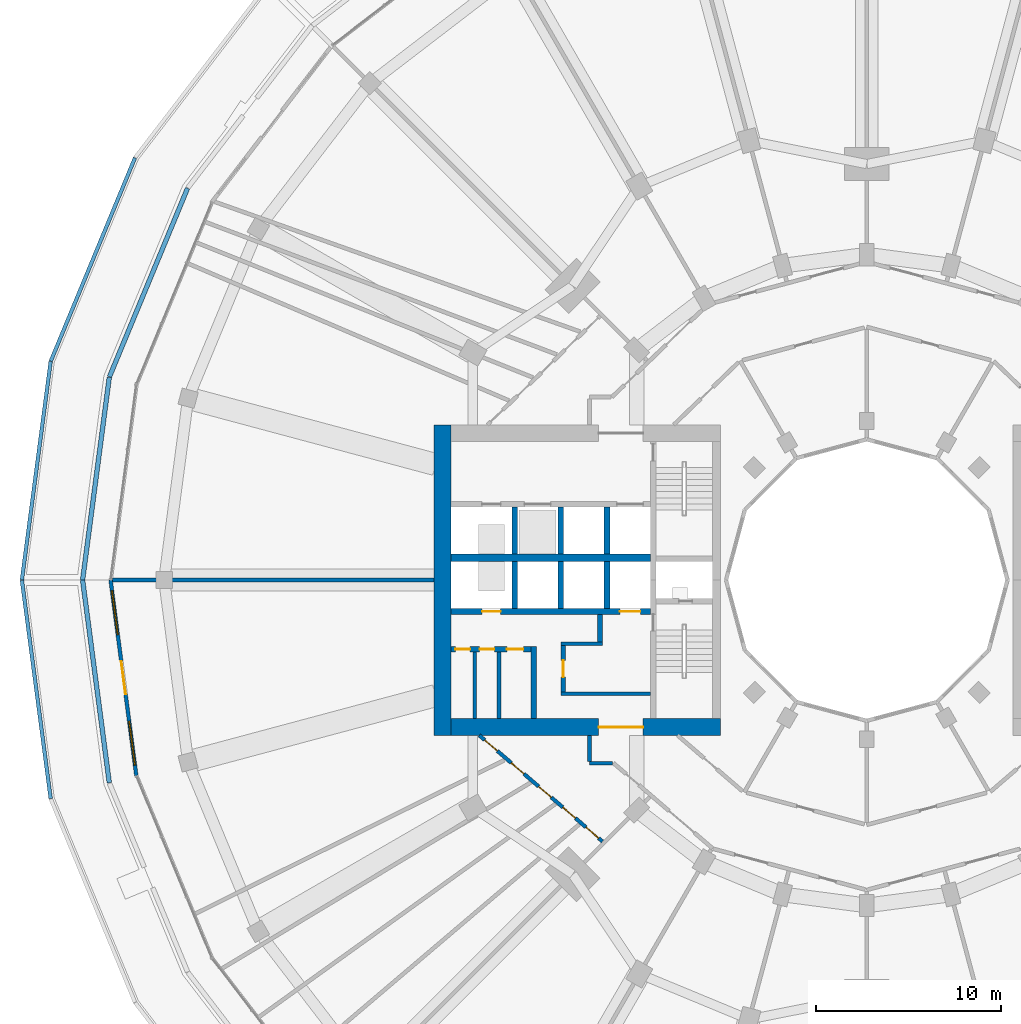
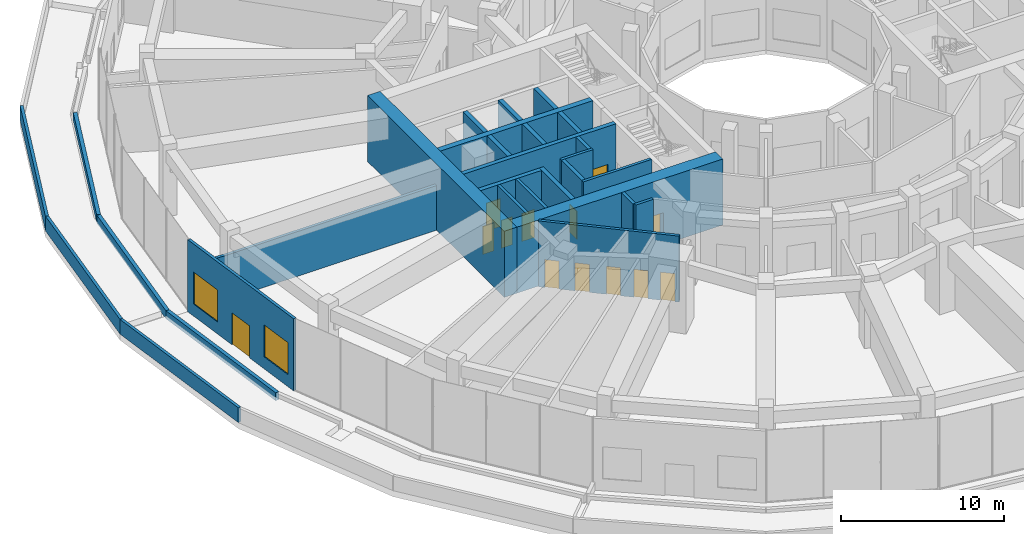
# One storey, part 22 of 30: 29 walls, 13 doors, 2 windows, 15 openings.
"""IFC4 building model written with IfcOpenShell, lengths in metres."""

from ifc_helpers import new_model, si_unit, direction, frame, frame_2d, origin, place, context, subcontext, project, spatial, rectangle, extrude, material, layer, layer_set, type_object, element, fill, save


model = new_model("IFC4")

# Units and contexts
model_context = context("Model", 3, precision=1e-05, world=origin(), true_north=direction((0.0, 1.0)))
body_context = subcontext(model_context, "Body", "Model", "MODEL_VIEW")
ifc_project = project(units=[si_unit("LENGTHUNIT", "METRE"), si_unit("AREAUNIT", "SQUARE_METRE"), si_unit("VOLUMEUNIT", "CUBIC_METRE"), si_unit("PLANEANGLEUNIT", "RADIAN"), si_unit("MASSUNIT", "GRAM", prefix="KILO")], contexts=[model_context])

# Site, building, storey
site_placement = place(None, origin())
site = spatial("IfcSite", under=ifc_project, at=site_placement, CompositionType="ELEMENT")
building_placement = place(site_placement, origin())
building = spatial("IfcBuilding", under=site, at=building_placement, Name="Torre Brocal", CompositionType="ELEMENT")
storey_placement = place(building_placement, frame((0.0, 0.0, 7.0)))
storey = spatial("IfcBuildingStorey", under=building, at=storey_placement, Name="L01", CompositionType="ELEMENT", Elevation=7.0)

# Walls
ifc_material_1 = material(Name="Masonry block", Category="masonry")
ifc_layer_1 = layer(ifc_material_1, 0.199951171875)
ifc_layer_set_1 = layer_set([ifc_layer_1], Name="Masonry block")
wall_type_1 = type_object("IfcWallType", Name="CORE PARTITION 200 UNDER 450 SLAB", PredefinedType="PARTITIONING", material=ifc_layer_set_1)
for number, where, z_axis, x_axis, name in (
    (1, (60.110107421875, 71.10009765625, 0.0), (0.0, 0.0, 1.0), (0.0, -1.0, 0.0), "Wall CP200-S450"),
    (2, (58.804931640625, 71.10009765625, 0.0), (0.0, 0.0, 1.0), (0.0, -1.0, 0.0), "Wall CP200-S450"),
):
    element("IfcWall", number, at=place(storey_placement, frame(where, z_axis=z_axis, x_axis=x_axis)), inside=storey, type_object=wall_type_1, Name=name, PredefinedType="PARTITIONING", context=body_context, shape_type="SweptSolid", body=[
        extrude(rectangle(XDim=3.60009765625, YDim=0.199951171875, at=frame_2d((1.800048828125, 0.0))), origin(), (0.0, 0.0, 1.0), 4.949951171875),
    ])
ifc_material_2 = material(Name="Concrete C80", Category="concrete")
ifc_layer_2 = layer(ifc_material_2, 0.199951171875)
ifc_layer_set_2 = layer_set([ifc_layer_2], Name="Concrete C80")
wall_type_2 = type_object("IfcWallType", Name="CORE WALL 200 C80 UNDER 450 SLAB", PredefinedType="SHEAR", material=ifc_layer_set_2)
wall_1_placement = place(storey_placement, frame((68.300048828125, 68.85009765625, 0.0), z_axis=(0.0, 0.0, 1.0), x_axis=(-1.0, 0.0, 0.0)))
element("IfcWall", 3, at=wall_1_placement, inside=storey, type_object=wall_type_2, Name="Wall CW200-80-S450", PredefinedType="SHEAR", context=body_context, shape_type="SweptSolid", body=[
    extrude(rectangle(XDim=4.85009765625, YDim=0.199951171875, at=frame_2d((2.425048828125, 0.0))), origin(), (0.0, 0.0, 1.0), 4.949951171875),
])
wall_2_placement = place(storey_placement, frame((65.699951171875, 71.550048828125, 0.0), z_axis=(0.0, 0.0, 1.0), x_axis=(-1.0, 0.0, 0.0)))
element("IfcWall", 4, at=wall_2_placement, inside=storey, type_object=wall_type_2, Name="Wall CW200-80-S450", PredefinedType="SHEAR", context=body_context, shape_type="SweptSolid", body=[
    extrude(rectangle(XDim=2.25, YDim=0.199951171875, at=frame_2d((1.125, 0.0))), origin(), (0.0, 0.0, 1.0), 4.949951171875),
])

# Wall, opening, door
ifc_material_3 = material(Name="Concrete C80", Category="concrete")
ifc_layer_3 = layer(ifc_material_3, 0.25)
ifc_layer_set_3 = layer_set([ifc_layer_3], Name="Concrete C80")
wall_type_3 = type_object("IfcWallType", Name="CORE WALL 250 C80 UNDER 450 SLAB", PredefinedType="SHEAR", material=ifc_layer_set_3)
wall_3_placement = place(storey_placement, frame((63.574951171875, 71.449951171875, 0.0), z_axis=(0.0, 0.0, 1.0), x_axis=(0.0, -1.0, 0.0)))
wall_3 = element("IfcWall", 5, at=wall_3_placement, inside=storey, type_object=wall_type_3, Name="Wall CW250-80-S450", PredefinedType="SHEAR", context=body_context, shape_type="SweptSolid", body=[
    extrude(rectangle(XDim=2.5, YDim=0.25, at=frame_2d((1.25, 0.0))), origin(), (0.0, 0.0, 1.0), 4.949951171875),
])
opening_1_placement = place(wall_3_placement, frame((0.800048828125, 0.0, 0.0)))
opening_1 = element("IfcOpeningElement", 6, at=opening_1_placement, cuts=wall_3, Name="Opening W-D15", PredefinedType="OPENING", context=body_context, shape_type="SweptSolid", body=[
    extrude(rectangle(XDim=0.89990234375, YDim=2.10009765625, at=frame_2d((0.449951171875, 1.050048828125))), frame((0.0, 0.135009765625, 0.0), z_axis=(0.0, -1.0, 0.0), x_axis=(1.0, 0.0, 0.0)), (0.0, 0.0, 1.0), 0.27001953125),
])
ifc_material_4 = material(Name="Steel A653", Category="steel")
door_type_1 = type_object("IfcDoorType", Name="LOBBY DOOR FD120 900X2100", OperationType="SINGLE_SWING_RIGHT", PredefinedType="DOOR", material=ifc_material_4)
door_1_placement = place(opening_1_placement, origin())
door_1 = element("IfcDoor", 7, at=door_1_placement, inside=storey, type_object=door_type_1, Name="Door W-D15", OperationType="SINGLE_SWING_LEFT", OverallHeight=2.10009765625, OverallWidth=0.89990234375, PredefinedType="DOOR", context=body_context, shape_type="SweptSolid", body=[
    extrude(rectangle(XDim=0.89990234375, YDim=2.10009765625, at=frame_2d((0.449951171875, 1.050048828125))), frame((0.0, 0.02490234375, 0.0), z_axis=(0.0, -1.0, 0.0), x_axis=(1.0, 0.0, 0.0)), (0.0, 0.0, 1.0), 0.050048828125),
])
fill(opening_1, door_1)

# Wall
wall_4_placement = place(storey_placement, frame((65.574951171875, 73.14990234375, 0.0), z_axis=(0.0, 0.0, 1.0), x_axis=(0.0, -1.0, 0.0)))
element("IfcWall", 8, at=wall_4_placement, inside=storey, type_object=wall_type_3, Name="Wall CW250-80-S450", PredefinedType="SHEAR", context=body_context, shape_type="SweptSolid", body=[
    extrude(rectangle(XDim=1.5, YDim=0.25, at=frame_2d((0.75, 0.0))), origin(), (0.0, 0.0, 1.0), 4.949951171875),
])

# Wall, openings, doors
ifc_material_5 = material(Name="Concrete C80", Category="concrete")
ifc_layer_4 = layer(ifc_material_5, 0.300048828125)
ifc_layer_set_4 = layer_set([ifc_layer_4], Name="Concrete C80")
wall_type_4 = type_object("IfcWallType", Name="CORE WALL 300 C80 UNDER 450 SLAB", PredefinedType="SHEAR", material=ifc_layer_set_4)
wall_5_placement = place(storey_placement, frame((68.300048828125, 73.300048828125, 0.0), z_axis=(0.0, 0.0, 1.0), x_axis=(-1.0, 0.0, 0.0)))
wall_5 = element("IfcWall", 9, at=wall_5_placement, inside=storey, type_object=wall_type_4, Name="Wall CW300-80-S450", PredefinedType="SHEAR", context=body_context, shape_type="SweptSolid", body=[
    extrude(rectangle(XDim=10.800048828125, YDim=0.300048828125, at=frame_2d((5.39990234375, 0.0))), origin(), (0.0, 0.0, 1.0), 4.949951171875),
])
opening_2_placement = place(wall_5_placement, frame((0.550048828125, 0.0, 0.0)))
opening_2 = element("IfcOpeningElement", 10, at=opening_2_placement, cuts=wall_5, Name="Opening LD", PredefinedType="OPENING", context=body_context, shape_type="SweptSolid", body=[
    extrude(rectangle(XDim=1.10009765625, YDim=2.10009765625, at=frame_2d((0.550048828125, 1.050048828125))), frame((0.0, 0.159912109375, 0.0), z_axis=(0.0, -1.0, 0.0), x_axis=(1.0, 0.0, 0.0)), (0.0, 0.0, 1.0), 0.320068359375),
])
opening_3_placement = place(wall_5_placement, frame((8.10009765625, 0.0, 0.0)))
opening_3 = element("IfcOpeningElement", 11, at=opening_3_placement, cuts=wall_5, Name="Opening LD10", PredefinedType="OPENING", context=body_context, shape_type="SweptSolid", body=[
    extrude(rectangle(XDim=1.0, YDim=2.10009765625, at=frame_2d((0.5, 1.050048828125))), frame((0.0, 0.159912109375, 0.0), z_axis=(0.0, -1.0, 0.0), x_axis=(1.0, 0.0, 0.0)), (0.0, 0.0, 1.0), 0.320068359375),
])
ifc_material_6 = material(Name="Stainless steel AISI 316", Category="steel")
door_type_2 = type_object("IfcDoorType", Name="LIFT LANDING DOOR 1000X2100", OperationType="DOUBLE_DOOR_SLIDING", PredefinedType="DOOR", material=ifc_material_6)
door_2_placement = place(opening_3_placement, origin())
door_2 = element("IfcDoor", 12, at=door_2_placement, inside=storey, type_object=door_type_2, Name="Door LD10", OperationType="DOUBLE_DOOR_SLIDING", OverallHeight=2.10009765625, OverallWidth=1.0, PredefinedType="DOOR", context=body_context, shape_type="SweptSolid", body=[
    extrude(rectangle(XDim=1.0, YDim=2.10009765625, at=frame_2d((0.5, 1.050048828125))), frame((0.0, 0.02490234375, 0.0), z_axis=(0.0, -1.0, 0.0), x_axis=(1.0, 0.0, 0.0)), (0.0, 0.0, 1.0), 0.050048828125),
])
fill(opening_3, door_2)
ifc_material_7 = material(Name="Stainless steel AISI 316", Category="steel")
door_type_3 = type_object("IfcDoorType", Name="LIFT LANDING DOOR 1100X2100", OperationType="DOUBLE_DOOR_SLIDING", PredefinedType="DOOR", material=ifc_material_7)
door_3_placement = place(opening_2_placement, origin())
door_3 = element("IfcDoor", 13, at=door_3_placement, inside=storey, type_object=door_type_3, Name="Door LD", OperationType="DOUBLE_DOOR_SLIDING", OverallHeight=2.10009765625, OverallWidth=1.10009765625, PredefinedType="DOOR", context=body_context, shape_type="SweptSolid", body=[
    extrude(rectangle(XDim=1.10009765625, YDim=2.10009765625, at=frame_2d((0.550048828125, 1.050048828125))), frame((0.0, 0.02490234375, 0.0), z_axis=(0.0, -1.0, 0.0), x_axis=(1.0, 0.0, 0.0)), (0.0, 0.0, 1.0), 0.050048828125),
])
fill(opening_2, door_3)

# Walls
for number, where, z_axis, x_axis, name in (
    (14, (65.949951171875, 76.0, 0.0), (0.0, 0.0, 1.0), (0.0, -1.0, 0.0), "Wall CW300-80-S450"),
    (15, (63.449951171875, 76.0, 0.0), (0.0, 0.0, 1.0), (0.0, -1.0, 0.0), "Wall CW300-80-S450"),
    (16, (60.949951171875, 76.0, 0.0), (0.0, 0.0, 1.0), (0.0, -1.0, 0.0), "Wall CW300-80-S450"),
    (17, (65.949951171875, 78.949951171875, 0.0), (0.0, 0.0, 1.0), (0.0, -1.0, 0.0), "Wall CW300-80-S450"),
    (18, (63.449951171875, 78.949951171875, 0.0), (0.0, 0.0, 1.0), (0.0, -1.0, 0.0), "Wall CW300-80-S450"),
    (19, (60.949951171875, 78.949951171875, 0.0), (0.0, 0.0, 1.0), (0.0, -1.0, 0.0), "Wall CW300-80-S450"),
):
    element("IfcWall", number, at=place(storey_placement, frame(where, z_axis=z_axis, x_axis=x_axis)), inside=storey, type_object=wall_type_4, Name=name, PredefinedType="SHEAR", context=body_context, shape_type="SweptSolid", body=[
        extrude(rectangle(XDim=2.550048828125, YDim=0.300048828125, at=frame_2d((1.27490234375, 0.0))), origin(), (0.0, 0.0, 1.0), 4.949951171875),
    ])
wall_6_placement = place(storey_placement, frame((62.0, 71.39990234375, 0.0), z_axis=(0.0, 0.0, 1.0), x_axis=(0.0, -1.0, 0.0)))
element("IfcWall", 20, at=wall_6_placement, inside=storey, type_object=wall_type_4, Name="Wall CW300-80-S450", PredefinedType="SHEAR", context=body_context, shape_type="SweptSolid", body=[
    extrude(rectangle(XDim=3.89990234375, YDim=0.300048828125, at=frame_2d((1.949951171875, 0.0))), origin(), (0.0, 0.0, 1.0), 4.949951171875),
])

# Wall, openings, doors
wall_7_placement = place(storey_placement, frame((61.85009765625, 71.25, 0.0), z_axis=(0.0, 0.0, 1.0), x_axis=(-1.0, 0.0, 0.0)))
wall_7 = element("IfcWall", 21, at=wall_7_placement, inside=storey, type_object=wall_type_4, Name="Wall CW300-80-S450", PredefinedType="SHEAR", context=body_context, shape_type="SweptSolid", body=[
    extrude(rectangle(XDim=4.35009765625, YDim=0.300048828125, at=frame_2d((2.175048828125, 0.0))), origin(), (0.0, 0.0, 1.0), 4.949951171875),
])
opening_4_placement = place(wall_7_placement, frame((0.419921875, 0.0, 0.0)))
opening_4 = element("IfcOpeningElement", 22, at=opening_4_placement, cuts=wall_7, Name="Opening W-D05", PredefinedType="OPENING", context=body_context, shape_type="SweptSolid", body=[
    extrude(rectangle(XDim=0.89990234375, YDim=2.10009765625, at=frame_2d((0.449951171875, 1.050048828125))), frame((0.0, 0.159912109375, 0.0), z_axis=(0.0, -1.0, 0.0), x_axis=(1.0, 0.0, 0.0)), (0.0, 0.0, 1.0), 0.320068359375),
])
opening_5_placement = place(wall_7_placement, frame((1.992431640625, 0.0, 0.0)))
opening_5 = element("IfcOpeningElement", 23, at=opening_5_placement, cuts=wall_7, Name="Opening W-D22", PredefinedType="OPENING", context=body_context, shape_type="SweptSolid", body=[
    extrude(rectangle(XDim=0.800048828125, YDim=2.10009765625, at=frame_2d((0.39990234375, 1.050048828125))), frame((0.0, 0.159912109375, 0.0), z_axis=(0.0, -1.0, 0.0), x_axis=(1.0, 0.0, 0.0)), (0.0, 0.0, 1.0), 0.320068359375),
])
opening_6_placement = place(wall_7_placement, frame((3.297607421875, 0.0, 0.0)))
opening_6 = element("IfcOpeningElement", 24, at=opening_6_placement, cuts=wall_7, Name="Opening W-D25", PredefinedType="OPENING", context=body_context, shape_type="SweptSolid", body=[
    extrude(rectangle(XDim=0.800048828125, YDim=2.10009765625, at=frame_2d((0.39990234375, 1.050048828125))), frame((0.0, 0.159912109375, 0.0), z_axis=(0.0, -1.0, 0.0), x_axis=(1.0, 0.0, 0.0)), (0.0, 0.0, 1.0), 0.320068359375),
])
ifc_material_8 = material(Name="Steel A653", Category="steel")
door_type_4 = type_object("IfcDoorType", Name="ROOM DOOR FD30S 800X2100", OperationType="SINGLE_SWING_LEFT", PredefinedType="DOOR", material=ifc_material_8)
door_4_placement = place(opening_5_placement, origin())
door_4 = element("IfcDoor", 25, at=door_4_placement, inside=storey, type_object=door_type_4, Name="Door W-D22", OperationType="SINGLE_SWING_LEFT", OverallHeight=2.10009765625, OverallWidth=0.800048828125, PredefinedType="DOOR", context=body_context, shape_type="SweptSolid", body=[
    extrude(rectangle(XDim=0.800048828125, YDim=2.10009765625, at=frame_2d((0.39990234375, 1.050048828125))), frame((0.0, 0.02490234375, 0.0), z_axis=(0.0, -1.0, 0.0), x_axis=(1.0, 0.0, 0.0)), (0.0, 0.0, 1.0), 0.050048828125),
])
fill(opening_5, door_4)
door_5_placement = place(opening_6_placement, origin())
door_5 = element("IfcDoor", 26, at=door_5_placement, inside=storey, type_object=door_type_4, Name="Door W-D25", OperationType="SINGLE_SWING_LEFT", OverallHeight=2.10009765625, OverallWidth=0.800048828125, PredefinedType="DOOR", context=body_context, shape_type="SweptSolid", body=[
    extrude(rectangle(XDim=0.800048828125, YDim=2.10009765625, at=frame_2d((0.39990234375, 1.050048828125))), frame((0.0, 0.02490234375, 0.0), z_axis=(0.0, -1.0, 0.0), x_axis=(1.0, 0.0, 0.0)), (0.0, 0.0, 1.0), 0.050048828125),
])
fill(opening_6, door_5)
ifc_material_9 = material(Name="Steel A653", Category="steel")
door_type_5 = type_object("IfcDoorType", Name="ROOM DOOR FD30S 900X2100", OperationType="SINGLE_SWING_LEFT", PredefinedType="DOOR", material=ifc_material_9)
door_6_placement = place(opening_4_placement, origin())
door_6 = element("IfcDoor", 27, at=door_6_placement, inside=storey, type_object=door_type_5, Name="Door W-D05", OperationType="SINGLE_SWING_RIGHT", OverallHeight=2.10009765625, OverallWidth=0.89990234375, PredefinedType="DOOR", context=body_context, shape_type="SweptSolid", body=[
    extrude(rectangle(XDim=0.89990234375, YDim=2.10009765625, at=frame_2d((0.449951171875, 1.050048828125))), frame((0.0, 0.02490234375, 0.0), z_axis=(0.0, -1.0, 0.0), x_axis=(1.0, 0.0, 0.0)), (0.0, 0.0, 1.0), 0.050048828125),
])
fill(opening_4, door_6)

# Wall
ifc_material_10 = material(Name="Concrete C80", Category="concrete")
ifc_layer_5 = layer(ifc_material_10, 0.39990234375)
ifc_layer_set_5 = layer_set([ifc_layer_5], Name="Concrete C80")
wall_type_5 = type_object("IfcWallType", Name="CORE WALL 400 C80 UNDER 450 SLAB", PredefinedType="SHEAR", material=ifc_layer_set_5)
wall_8_placement = place(storey_placement, frame((68.300048828125, 76.199951171875, 0.0), z_axis=(0.0, 0.0, 1.0), x_axis=(-1.0, 0.0, 0.0)))
element("IfcWall", 28, at=wall_8_placement, inside=storey, type_object=wall_type_5, Name="Wall CW400-80-S450", PredefinedType="SHEAR", context=body_context, shape_type="SweptSolid", body=[
    extrude(rectangle(XDim=10.800048828125, YDim=0.39990234375, at=frame_2d((5.39990234375, 0.0))), origin(), (0.0, 0.0, 1.0), 4.949951171875),
])

# Wall, opening, door
ifc_material_11 = material(Name="Concrete C80", Category="concrete")
ifc_layer_6 = layer(ifc_material_11, 0.89990234375)
ifc_layer_set_6 = layer_set([ifc_layer_6], Name="Concrete C80")
wall_type_6 = type_object("IfcWallType", Name="CORE WALL 900 C80 UNDER 450 SLAB", PredefinedType="SHEAR", material=ifc_layer_set_6)
wall_9_placement = place(storey_placement, frame((72.10009765625, 67.050048828125, 0.0), z_axis=(0.0, 0.0, 1.0), x_axis=(-1.0, 0.0, 0.0)))
wall_9 = element("IfcWall", 29, at=wall_9_placement, inside=storey, type_object=wall_type_6, Name="Wall CW900-80-S450", PredefinedType="SHEAR", context=body_context, shape_type="SweptSolid", body=[
    extrude(rectangle(XDim=14.60009765625, YDim=0.89990234375, at=frame_2d((7.300048828125, 0.0))), origin(), (0.0, 0.0, 1.0), 4.949951171875),
])
opening_7_placement = place(wall_9_placement, frame((4.199951171875, 0.0, 0.0)))
opening_7 = element("IfcOpeningElement", 30, at=opening_7_placement, cuts=wall_9, Name="Opening W-D27", PredefinedType="OPENING", context=body_context, shape_type="SweptSolid", body=[
    extrude(rectangle(XDim=2.39990234375, YDim=2.39990234375, at=frame_2d((1.199951171875, 1.199951171875))), frame((0.0, 0.4599609375, 0.0), z_axis=(0.0, -1.0, 0.0), x_axis=(1.0, 0.0, 0.0)), (0.0, 0.0, 1.0), 0.919921875),
])
ifc_material_12 = material(Name="Steel A653", Category="steel")
door_type_6 = type_object("IfcDoorType", Name="DOUBLE FIRE DOOR FD90 2400X2400", OperationType="DOUBLE_DOOR_SINGLE_SWING", PredefinedType="DOOR", material=ifc_material_12)
door_7_placement = place(opening_7_placement, frame((2.39990234375, 0.0, 0.0), z_axis=(0.0, 0.0, 1.0), x_axis=(-1.0, 0.0, 0.0)))
door_7 = element("IfcDoor", 31, at=door_7_placement, inside=storey, type_object=door_type_6, Name="Door W-D27", OperationType="DOUBLE_DOOR_SINGLE_SWING", OverallHeight=2.39990234375, OverallWidth=2.39990234375, PredefinedType="DOOR", context=body_context, shape_type="SweptSolid", body=[
    extrude(rectangle(XDim=2.39990234375, YDim=2.39990234375, at=frame_2d((1.199951171875, 1.199951171875))), frame((0.0, 0.02490234375, 0.0), z_axis=(0.0, -1.0, 0.0), x_axis=(1.0, 0.0, 0.0)), (0.0, 0.0, 1.0), 0.050048828125),
])
fill(opening_7, door_7)

# Wall
wall_10_placement = place(storey_placement, frame((57.050048828125, 83.39990234375, 0.0), z_axis=(0.0, 0.0, 1.0), x_axis=(0.0, -1.0, 0.0)))
element("IfcWall", 32, at=wall_10_placement, inside=storey, type_object=wall_type_6, Name="Wall CW900-80-S450", PredefinedType="SHEAR", context=body_context, shape_type="SweptSolid", body=[
    extrude(rectangle(XDim=16.7998046875, YDim=0.89990234375, at=frame_2d((8.39990234375, 0.0))), origin(), (0.0, 0.0, 1.0), 4.949951171875),
])

# Wall, openings, windows, door
ifc_material_13 = material(Name="Concrete C40", Category="concrete")
ifc_layer_7 = layer(ifc_material_13, 0.199951171875)
ifc_layer_set_7 = layer_set([ifc_layer_7], Name="Concrete C40")
wall_type_7 = type_object("IfcWallType", Name="EXTERNAL WALL 200", PredefinedType="NOTDEFINED", material=ifc_layer_set_7)
wall_11_placement = place(storey_placement, frame((39.100830078125, 75.0, 0.0), z_axis=(0.0, 0.0, 1.0), x_axis=(0.130521944298, -0.991445420614, 0.0)))
wall_11 = element("IfcWall", 33, at=wall_11_placement, inside=storey, type_object=wall_type_7, Name="EXTERNAL WALL", PredefinedType="NOTDEFINED", context=body_context, shape_type="SweptSolid", body=[
    extrude(rectangle(XDim=10.6767578125, YDim=0.199951171875, at=frame_2d((5.33837890625, 0.0))), origin(), (0.0, 0.0, 1.0), 5.39990234375),
])
opening_8_placement = place(wall_11_placement, frame((0.57958984375, 0.0, 0.89990234375)))
opening_8 = element("IfcOpeningElement", 34, at=opening_8_placement, cuts=wall_11, Name="Opening W6", PredefinedType="OPENING", context=body_context, shape_type="SweptSolid", body=[
    extrude(rectangle(XDim=2.39990234375, YDim=2.39990234375, at=frame_2d((1.199951171875, 1.199951171875))), frame((0.0, 0.10986328125, 0.0), z_axis=(0.0, -1.0, 0.0), x_axis=(1.0, 0.0, 0.0)), (0.0, 0.0, 1.0), 0.219970703125),
])
opening_9_placement = place(wall_11_placement, frame((4.4384765625, 0.0, 0.0)))
opening_9 = element("IfcOpeningElement", 35, at=opening_9_placement, cuts=wall_11, Name="Opening L01-E05", PredefinedType="OPENING", context=body_context, shape_type="SweptSolid", body=[
    extrude(rectangle(XDim=1.800048828125, YDim=2.39990234375, at=frame_2d((0.89990234375, 1.199951171875))), frame((0.0, 0.10986328125, 0.0), z_axis=(0.0, -1.0, 0.0), x_axis=(1.0, 0.0, 0.0)), (0.0, 0.0, 1.0), 0.219970703125),
])
opening_10_placement = place(wall_11_placement, frame((7.697265625, 0.0, 0.89990234375)))
opening_10 = element("IfcOpeningElement", 36, at=opening_10_placement, cuts=wall_11, Name="Opening W6", PredefinedType="OPENING", context=body_context, shape_type="SweptSolid", body=[
    extrude(rectangle(XDim=2.39990234375, YDim=2.39990234375, at=frame_2d((1.199951171875, 1.199951171875))), frame((0.0, 0.10986328125, 0.0), z_axis=(0.0, -1.0, 0.0), x_axis=(1.0, 0.0, 0.0)), (0.0, 0.0, 1.0), 0.219970703125),
])
ifc_material_14 = material(Name="Aluminium and glass", Category="aluminium")
window_type = type_object("IfcWindowType", Name="PODIUM WINDOW 2400X2400", PartitioningType="SINGLE_PANEL", PredefinedType="WINDOW", material=ifc_material_14)
window_1_placement = place(opening_8_placement, origin())
window_1 = element("IfcWindow", 37, at=window_1_placement, inside=storey, type_object=window_type, Name="PODIUM WINDOW 2400X2400", OverallHeight=2.39990234375, OverallWidth=2.39990234375, PartitioningType="SINGLE_PANEL", PredefinedType="WINDOW", context=body_context, shape_type="SweptSolid", body=[
    extrude(rectangle(XDim=2.39990234375, YDim=2.39990234375, at=frame_2d((1.199951171875, 1.199951171875))), frame((0.0, 0.030029296875, 0.0), z_axis=(0.0, -1.0, 0.0), x_axis=(1.0, 0.0, 0.0)), (0.0, 0.0, 1.0), 0.06005859375),
])
fill(opening_8, window_1)
window_2_placement = place(opening_10_placement, origin())
window_2 = element("IfcWindow", 38, at=window_2_placement, inside=storey, type_object=window_type, Name="PODIUM WINDOW 2400X2400", OverallHeight=2.39990234375, OverallWidth=2.39990234375, PartitioningType="SINGLE_PANEL", PredefinedType="WINDOW", context=body_context, shape_type="SweptSolid", body=[
    extrude(rectangle(XDim=2.39990234375, YDim=2.39990234375, at=frame_2d((1.199951171875, 1.199951171875))), frame((0.0, 0.030029296875, 0.0), z_axis=(0.0, -1.0, 0.0), x_axis=(1.0, 0.0, 0.0)), (0.0, 0.0, 1.0), 0.06005859375),
])
fill(opening_10, window_2)
ifc_material_15 = material(Name="Aluminium and glass", Category="aluminium")
door_type_7 = type_object("IfcDoorType", Name="TERRACE DOUBLE DOOR 1800X2400", OperationType="DOUBLE_DOOR_SINGLE_SWING", PredefinedType="DOOR", material=ifc_material_15)
door_8_placement = place(opening_9_placement, frame((1.800048828125, 0.0, 0.0), z_axis=(0.0, 0.0, 1.0), x_axis=(-1.0, 0.0, 0.0)))
door_8 = element("IfcDoor", 39, at=door_8_placement, inside=storey, type_object=door_type_7, Name="DOOR L01-E05", OperationType="DOUBLE_DOOR_SINGLE_SWING", OverallHeight=2.39990234375, OverallWidth=1.800048828125, PredefinedType="DOOR", context=body_context, shape_type="SweptSolid", body=[
    extrude(rectangle(XDim=1.800048828125, YDim=2.39990234375, at=frame_2d((0.89990234375, 1.199951171875))), frame((0.0, 0.02490234375, 0.0), z_axis=(0.0, -1.0, 0.0), x_axis=(1.0, 0.0, 0.0)), (0.0, 0.0, 1.0), 0.050048828125),
])
fill(opening_9, door_8)

# Walls
ifc_material_16 = material(Name="Concrete C40", Category="concrete")
ifc_layer_8 = layer(ifc_material_16, 0.199951171875)
ifc_layer_set_8 = layer_set([ifc_layer_8], Name="Concrete C40")
wall_type_8 = type_object("IfcWallType", Name="PARAPET WALL 200 THICK 1100 HIGH", PredefinedType="PARAPET", material=ifc_layer_set_8)
for number, where, z_axis, x_axis, name in (
    (40, (35.85791015625, 63.185791015625, 0.0), (0.0, 0.0, 1.0), (-0.130529852925, 0.991444379426, 0.0), "PARAPET WALL 12"),
    (41, (34.30419921875, 75.012939453125, 0.0), (0.0, 0.0, 1.0), (0.130529852925, 0.991444379426, 0.0), "PARAPET WALL 13"),
):
    element("IfcWall", number, at=place(storey_placement, frame(where, z_axis=z_axis, x_axis=x_axis)), inside=storey, type_object=wall_type_8, Name=name, PredefinedType="PARAPET", context=body_context, shape_type="SweptSolid", body=[
        extrude(rectangle(XDim=11.903076171875, YDim=0.199951171875, at=frame_2d((5.95166015625, 0.0))), origin(), (0.0, 0.0, 1.0), 1.10009765625),
    ])
wall_12_placement = place(storey_placement, frame((35.86474609375, 86.839599609375, 0.0), z_axis=(0.0, 0.0, 1.0), x_axis=(0.382693560434, 0.923875337263, 0.0)))
element("IfcWall", 42, at=wall_12_placement, inside=storey, type_object=wall_type_8, Name="PARAPET WALL 14", PredefinedType="PARAPET", context=body_context, shape_type="SweptSolid", body=[
    extrude(rectangle(XDim=11.90283203125, YDim=0.199951171875, at=frame_2d((5.951416015625, 0.0))), origin(), (0.0, 0.0, 1.0), 1.10009765625),
])

# Wall, openings, doors
ifc_material_17 = material(Name="Gypsum board", Category="Gypsum")
ifc_layer_9 = layer(ifc_material_17, 0.199951171875)
ifc_layer_set_9 = layer_set([ifc_layer_9], Name="Gypsum board")
wall_type_9 = type_object("IfcWallType", Name="PARTITION 200 EI60", PredefinedType="PARTITIONING", material=ifc_layer_set_9)
wall_13_placement = place(storey_placement, frame((59.04150390625, 66.6005859375, 0.0), z_axis=(0.0, 0.0, 1.0), x_axis=(0.757804642565, -0.652481512157, 0.0)))
wall_13 = element("IfcWall", 43, at=wall_13_placement, inside=storey, type_object=wall_type_9, Name="PLANT ROOM WALL", PredefinedType="PARTITIONING", context=body_context, shape_type="SweptSolid", body=[
    extrude(rectangle(XDim=8.79443359375, YDim=0.199951171875, at=frame_2d((4.397216796875, 0.0))), origin(), (0.0, 0.0, 1.0), 4.949951171875),
])
opening_11_placement = place(wall_13_placement, frame((0.388916015625, 0.0, 0.0)))
opening_11 = element("IfcOpeningElement", 44, at=opening_11_placement, cuts=wall_13, Name="Opening PD1-D25", PredefinedType="OPENING", context=body_context, shape_type="SweptSolid", body=[
    extrude(rectangle(XDim=0.89990234375, YDim=2.10009765625, at=frame_2d((0.449951171875, 1.050048828125))), frame((0.0, 0.10986328125, 0.0), z_axis=(0.0, -1.0, 0.0), x_axis=(1.0, 0.0, 0.0)), (0.0, 0.0, 1.0), 0.219970703125),
])
opening_12_placement = place(wall_13_placement, frame((2.284912109375, 0.0, 0.0)))
opening_12 = element("IfcOpeningElement", 45, at=opening_12_placement, cuts=wall_13, Name="Opening PD1-D26", PredefinedType="OPENING", context=body_context, shape_type="SweptSolid", body=[
    extrude(rectangle(XDim=0.89990234375, YDim=2.10009765625, at=frame_2d((0.449951171875, 1.050048828125))), frame((0.0, 0.10986328125, 0.0), z_axis=(0.0, -1.0, 0.0), x_axis=(1.0, 0.0, 0.0)), (0.0, 0.0, 1.0), 0.219970703125),
])
opening_13_placement = place(wall_13_placement, frame((4.240478515625, 0.0, 0.0)))
opening_13 = element("IfcOpeningElement", 46, at=opening_13_placement, cuts=wall_13, Name="Opening PD1-D27", PredefinedType="OPENING", context=body_context, shape_type="SweptSolid", body=[
    extrude(rectangle(XDim=0.89990234375, YDim=2.10009765625, at=frame_2d((0.449951171875, 1.050048828125))), frame((0.0, 0.10986328125, 0.0), z_axis=(0.0, -1.0, 0.0), x_axis=(1.0, 0.0, 0.0)), (0.0, 0.0, 1.0), 0.219970703125),
])
opening_14_placement = place(wall_13_placement, frame((5.96337890625, 0.0, 0.0)))
opening_14 = element("IfcOpeningElement", 47, at=opening_14_placement, cuts=wall_13, Name="Opening PD1-D28", PredefinedType="OPENING", context=body_context, shape_type="SweptSolid", body=[
    extrude(rectangle(XDim=0.89990234375, YDim=2.10009765625, at=frame_2d((0.449951171875, 1.050048828125))), frame((0.0, 0.10986328125, 0.0), z_axis=(0.0, -1.0, 0.0), x_axis=(1.0, 0.0, 0.0)), (0.0, 0.0, 1.0), 0.219970703125),
])
opening_15_placement = place(wall_13_placement, frame((7.62158203125, 0.0, 0.0)))
opening_15 = element("IfcOpeningElement", 48, at=opening_15_placement, cuts=wall_13, Name="Opening PD1-D29", PredefinedType="OPENING", context=body_context, shape_type="SweptSolid", body=[
    extrude(rectangle(XDim=0.89990234375, YDim=2.10009765625, at=frame_2d((0.449951171875, 1.050048828125))), frame((0.0, 0.10986328125, 0.0), z_axis=(0.0, -1.0, 0.0), x_axis=(1.0, 0.0, 0.0)), (0.0, 0.0, 1.0), 0.219970703125),
])
ifc_material_18 = material(Name="Timber", Category="wood")
door_type_8 = type_object("IfcDoorType", Name="ROOM DOOR 900X2100", OperationType="SINGLE_SWING_LEFT", PredefinedType="DOOR", material=ifc_material_18)
door_9_placement = place(opening_11_placement, frame((0.89990234375, 0.0, 0.0), z_axis=(0.0, 0.0, 1.0), x_axis=(-1.0, 0.0, 0.0)))
door_9 = element("IfcDoor", 49, at=door_9_placement, inside=storey, type_object=door_type_8, Name="PD1-D25", OperationType="SINGLE_SWING_LEFT", OverallHeight=2.10009765625, OverallWidth=0.89990234375, PredefinedType="DOOR", context=body_context, shape_type="SweptSolid", body=[
    extrude(rectangle(XDim=0.89990234375, YDim=2.10009765625, at=frame_2d((0.449951171875, 1.050048828125))), frame((0.0, 0.02490234375, 0.0), z_axis=(0.0, -1.0, 0.0), x_axis=(1.0, 0.0, 0.0)), (0.0, 0.0, 1.0), 0.050048828125),
])
fill(opening_11, door_9)
door_10_placement = place(opening_12_placement, frame((0.89990234375, 0.0, 0.0), z_axis=(0.0, 0.0, 1.0), x_axis=(-1.0, 0.0, 0.0)))
door_10 = element("IfcDoor", 50, at=door_10_placement, inside=storey, type_object=door_type_8, Name="PD1-D26", OperationType="SINGLE_SWING_RIGHT", OverallHeight=2.10009765625, OverallWidth=0.89990234375, PredefinedType="DOOR", context=body_context, shape_type="SweptSolid", body=[
    extrude(rectangle(XDim=0.89990234375, YDim=2.10009765625, at=frame_2d((0.449951171875, 1.050048828125))), frame((0.0, 0.02490234375, 0.0), z_axis=(0.0, -1.0, 0.0), x_axis=(1.0, 0.0, 0.0)), (0.0, 0.0, 1.0), 0.050048828125),
])
fill(opening_12, door_10)
door_11_placement = place(opening_13_placement, frame((0.89990234375, 0.0, 0.0), z_axis=(0.0, 0.0, 1.0), x_axis=(-1.0, 0.0, 0.0)))
door_11 = element("IfcDoor", 51, at=door_11_placement, inside=storey, type_object=door_type_8, Name="PD1-D27", OperationType="SINGLE_SWING_LEFT", OverallHeight=2.10009765625, OverallWidth=0.89990234375, PredefinedType="DOOR", context=body_context, shape_type="SweptSolid", body=[
    extrude(rectangle(XDim=0.89990234375, YDim=2.10009765625, at=frame_2d((0.449951171875, 1.050048828125))), frame((0.0, 0.02490234375, 0.0), z_axis=(0.0, -1.0, 0.0), x_axis=(1.0, 0.0, 0.0)), (0.0, 0.0, 1.0), 0.050048828125),
])
fill(opening_13, door_11)
door_12_placement = place(opening_14_placement, frame((0.89990234375, 0.0, 0.0), z_axis=(0.0, 0.0, 1.0), x_axis=(-1.0, 0.0, 0.0)))
door_12 = element("IfcDoor", 52, at=door_12_placement, inside=storey, type_object=door_type_8, Name="PD1-D28", OperationType="SINGLE_SWING_LEFT", OverallHeight=2.10009765625, OverallWidth=0.89990234375, PredefinedType="DOOR", context=body_context, shape_type="SweptSolid", body=[
    extrude(rectangle(XDim=0.89990234375, YDim=2.10009765625, at=frame_2d((0.449951171875, 1.050048828125))), frame((0.0, 0.02490234375, 0.0), z_axis=(0.0, -1.0, 0.0), x_axis=(1.0, 0.0, 0.0)), (0.0, 0.0, 1.0), 0.050048828125),
])
fill(opening_14, door_12)
door_13_placement = place(opening_15_placement, frame((0.89990234375, 0.0, 0.0), z_axis=(0.0, 0.0, 1.0), x_axis=(-1.0, 0.0, 0.0)))
door_13 = element("IfcDoor", 53, at=door_13_placement, inside=storey, type_object=door_type_8, Name="PD1-D29", OperationType="SINGLE_SWING_LEFT", OverallHeight=2.10009765625, OverallWidth=0.89990234375, PredefinedType="DOOR", context=body_context, shape_type="SweptSolid", body=[
    extrude(rectangle(XDim=0.89990234375, YDim=2.10009765625, at=frame_2d((0.449951171875, 1.050048828125))), frame((0.0, 0.02490234375, 0.0), z_axis=(0.0, -1.0, 0.0), x_axis=(1.0, 0.0, 0.0)), (0.0, 0.0, 1.0), 0.050048828125),
])
fill(opening_15, door_13)

# Walls
wall_14_placement = place(storey_placement, frame((65.0, 65.199951171875, 0.0), z_axis=(0.0, 0.0, 1.0), x_axis=(0.0, 1.0, 0.0)))
element("IfcWall", 54, at=wall_14_placement, inside=storey, type_object=wall_type_9, Name="CORRIDOR WALL", PredefinedType="PARTITIONING", context=body_context, shape_type="SweptSolid", body=[
    extrude(rectangle(XDim=1.399169921875, YDim=0.199951171875, at=frame_2d((0.69970703125, 0.0))), origin(), (0.0, 0.0, 1.0), 4.949951171875),
])
wall_15_placement = place(storey_placement, frame((65.0, 65.10009765625, 0.0), z_axis=(0.0, 0.0, 1.0), x_axis=(1.0, 0.0, 0.0)))
element("IfcWall", 55, at=wall_15_placement, inside=storey, type_object=wall_type_9, Name="CORRIDOR WALL", PredefinedType="PARTITIONING", context=body_context, shape_type="SweptSolid", body=[
    extrude(rectangle(XDim=1.241943359375, YDim=0.199951171875, at=frame_2d((0.62109375, 0.0))), origin(), (0.0, 0.0, 1.0), 4.949951171875),
])
ifc_material_19 = material(Name="Gypsum board", Category="Gypsum")
ifc_layer_10 = layer(ifc_material_19, 0.199951171875)
ifc_layer_set_10 = layer_set([ifc_layer_10], Name="Gypsum board")
wall_type_10 = type_object("IfcWallType", Name="PARTITION 200 EI60 UNDER BEAM 2050", PredefinedType="PARTITIONING", material=ifc_layer_set_10)
wall_16_placement = place(storey_placement, frame((39.2041015625, 75.0, 0.0), z_axis=(0.0, 0.0, 1.0), x_axis=(1.0, 0.0, 0.0)))
element("IfcWall", 56, at=wall_16_placement, inside=storey, type_object=wall_type_10, Name="PLANT ROOM WALL", PredefinedType="PARTITIONING", context=body_context, shape_type="SweptSolid", body=[
    extrude(rectangle(XDim=17.393798828125, YDim=0.199951171875, at=frame_2d((8.69677734375, 0.0))), origin(), (0.0, 0.0, 1.0), 3.35009765625),
])
ifc_material_20 = material(Name="Concrete C35", Category="concrete")
ifc_layer_11 = layer(ifc_material_20, 0.25)
ifc_layer_set_11 = layer_set([ifc_layer_11], Name="Concrete C35")
wall_type_11 = type_object("IfcWallType", Name="PLANTER WALL 250 THICK 600 HIGH", PredefinedType="USERDEFINED", material=ifc_layer_set_11)
wall_17_placement = place(storey_placement, frame((37.587890625, 75.0, 0.0), z_axis=(0.0, 0.0, 1.0), x_axis=(0.130536201932, 0.991443543519, 0.0)))
element("IfcWall", 57, at=wall_17_placement, inside=storey, type_object=wall_type_11, Name="PLANTER", ObjectType="PLANTER", PredefinedType="USERDEFINED", context=body_context, shape_type="SweptSolid", body=[
    extrude(rectangle(XDim=11.05517578125, YDim=0.25, at=frame_2d((5.527587890625, 0.0))), origin(), (0.0, 0.0, 1.0), 0.60009765625),
])
wall_18_placement = place(storey_placement, frame((39.039306640625, 85.9921875, 0.0), z_axis=(0.0, 0.0, 1.0), x_axis=(0.382676686443, 0.923882326735, 0.0)))
element("IfcWall", 58, at=wall_18_placement, inside=storey, type_object=wall_type_11, Name="PLANTER", ObjectType="PLANTER", PredefinedType="USERDEFINED", context=body_context, shape_type="SweptSolid", body=[
    extrude(rectangle(XDim=11.0390625, YDim=0.25, at=frame_2d((5.51953125, 0.0))), origin(), (0.0, 0.0, 1.0), 0.60009765625),
])
wall_19_placement = place(storey_placement, frame((39.031005859375, 64.039306640625, 0.0), z_axis=(0.0, 0.0, 1.0), x_axis=(-0.130536201932, 0.991443543519, 0.0)))
element("IfcWall", 59, at=wall_19_placement, inside=storey, type_object=wall_type_11, Name="PLANTER", ObjectType="PLANTER", PredefinedType="USERDEFINED", context=body_context, shape_type="SweptSolid", body=[
    extrude(rectangle(XDim=11.05517578125, YDim=0.25, at=frame_2d((5.527587890625, 0.0))), origin(), (0.0, 0.0, 1.0), 0.60009765625),
])

save(model, "model.ifc")
